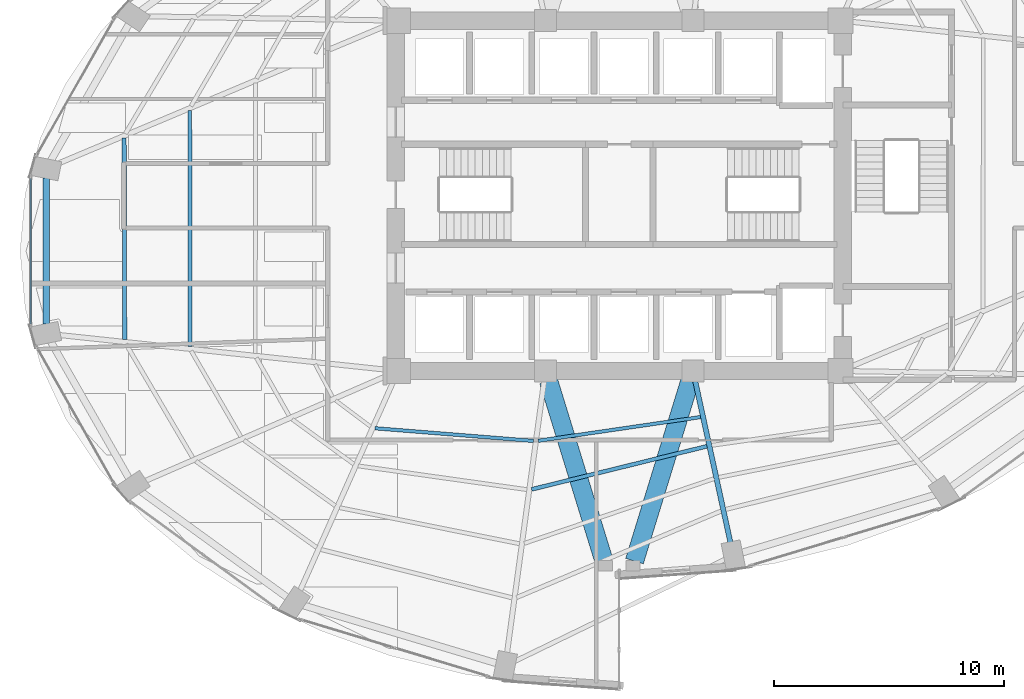
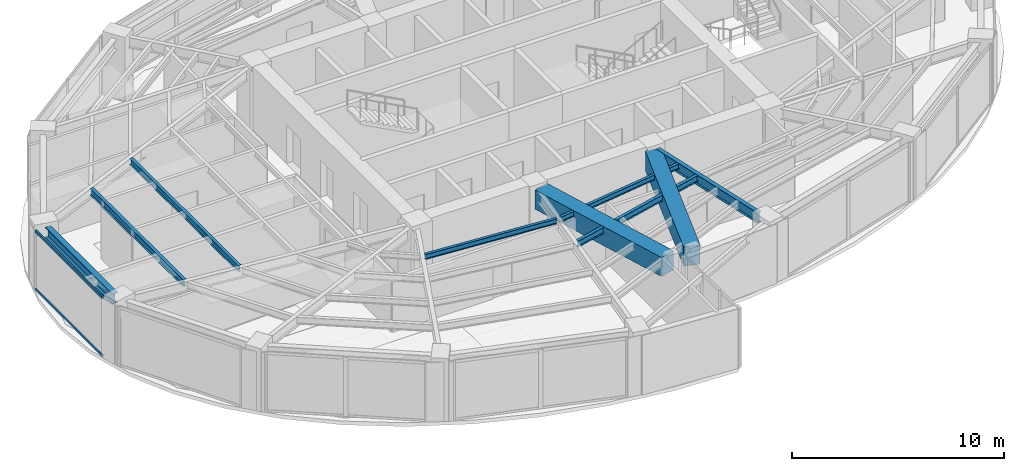
# One storey, part 7 of 24: 9 beams, 2 members, 1 element without a shape of its own.
"""IFC4 building model written with IfcOpenShell, lengths in metres."""

from ifc_helpers import new_model, si_unit, direction, frame, origin, origin_2d, place, context, subcontext, project, spatial, rectangle, hollow_rectangle, i_section, extrude, material, layer, layer_set, material_profile, profile_set, type_object, element, aggregate, save


model = new_model("IFC4")

# Units and contexts
model_context = context("Model", 3, precision=1e-05, world=origin(), true_north=direction((0.0, 1.0)))
body_context = subcontext(model_context, "Body", "Model", "MODEL_VIEW")
ifc_project = project(units=[si_unit("LENGTHUNIT", "METRE"), si_unit("AREAUNIT", "SQUARE_METRE"), si_unit("VOLUMEUNIT", "CUBIC_METRE"), si_unit("PLANEANGLEUNIT", "RADIAN"), si_unit("MASSUNIT", "GRAM", prefix="KILO")], contexts=[model_context])

# Site, building, storey
site_placement = place(None, origin())
site = spatial("IfcSite", under=ifc_project, at=site_placement, CompositionType="ELEMENT")
building_placement = place(site_placement, origin())
building = spatial("IfcBuilding", under=site, at=building_placement, Name="Lazwardi Medical Tower", CompositionType="ELEMENT")
storey_placement = place(building_placement, frame((0.0, 0.0, 96.3359375)))
storey = spatial("IfcBuildingStorey", under=building, at=storey_placement, Name="L24", CompositionType="ELEMENT", Elevation=96.3359375)

# Beams
ifc_material_1 = material(Name="Concrete C70/85", Category="concrete")
ifc_material_profile_1 = material_profile(ifc_material_1, rectangle(XDim=0.800048828125, YDim=1.10009765625, at=origin_2d()), Name="RC 800x1100")
ifc_profile_set_1 = profile_set([ifc_material_profile_1], Name="Concrete C70/85")
beam_type_1 = type_object("IfcBeamType", Name="BM-CB-RC1", PredefinedType="LINTEL", material=ifc_profile_set_1)
for number, where, z_axis, x_axis, name in (
    (1, (32.935302734375, 19.960205078125, 2.878173828125), (0.294073251002, -0.955782884888, 0.0), (0.955782884888, 0.294073251002, 0.0), "Core coupling lintel CB-01 PL3 L24"),
    (2, (39.064697265625, 19.960205078125, 2.878173828125), (-0.294073251002, -0.955782884888, 0.0), (0.955782884888, -0.294073251002, 0.0), "Core coupling lintel CB-01 PL4 L24"),
):
    element("IfcBeam", number, at=place(storey_placement, frame(where, z_axis=z_axis, x_axis=x_axis)), inside=storey, type_object=beam_type_1, Name=name, PredefinedType="LINTEL", context=body_context, shape_type="SweptSolid", body=[
        extrude(rectangle(XDim=0.800048828125, YDim=1.10009765625, at=origin_2d()), origin(), (0.0, 0.0, 1.0), 8.1708984375),
    ])
ifc_material_2 = material(Name="Steel S355", Category="steel")
ifc_material_profile_2 = material_profile(ifc_material_2, i_section(OverallWidth=0.300048828125, OverallDepth=0.60009765625, WebThickness=0.015380859375, FlangeThickness=0.030029296875, at=origin_2d()), Name="HEB 600")
ifc_profile_set_2 = profile_set([ifc_material_profile_2], Name="Steel S355")
beam_type_2 = type_object("IfcBeamType", Name="BM-RB-Z2", PredefinedType="BEAM", material=ifc_profile_set_2)
beam_1_placement = place(storey_placement, frame((11.13720703125, 28.77001953125, 3.128173828125), z_axis=(0.0, -1.0, 0.0), x_axis=(1.0, 0.0, 0.0)))
element("IfcBeam", 3, at=beam_1_placement, inside=storey, type_object=beam_type_2, Name="Ring beam RB-03 B12 L24", PredefinedType="BEAM", context=body_context, shape_type="SweptSolid", body=[
    extrude(i_section(OverallWidth=0.300048828125, OverallDepth=0.60009765625, WebThickness=0.015380859375, FlangeThickness=0.030029296875, at=origin_2d()), origin(), (0.0, 0.0, 1.0), 6.33984375),
])
ifc_material_profile_3 = material_profile(ifc_material_2, i_section(OverallWidth=0.219970703125, OverallDepth=0.60009765625, WebThickness=0.011962890625, FlangeThickness=0.01904296875, at=origin_2d()), Name="IPE 600")
ifc_profile_set_3 = profile_set([ifc_material_profile_3], Name="Steel S355")
beam_type_3 = type_object("IfcBeamType", Name="BM-RG-W1", PredefinedType="BEAM", material=ifc_profile_set_3)
beam_2_placement = place(storey_placement, frame((40.82177734375, 12.96923828125, 3.128173828125), z_axis=(-0.213228150441, 0.977002433907, 0.0), x_axis=(-0.977002433907, -0.213228150441, 0.0)))
element("IfcBeam", 4, at=beam_2_placement, inside=storey, type_object=beam_type_3, Name="Radial girder RG-02 R01 L24", PredefinedType="BEAM", context=body_context, shape_type="SweptSolid", body=[
    extrude(i_section(OverallWidth=0.219970703125, OverallDepth=0.60009765625, WebThickness=0.011962890625, FlangeThickness=0.01904296875, at=origin_2d()), origin(), (0.0, 0.0, 1.0), 7.145751953125),
])
ifc_material_profile_4 = material_profile(ifc_material_2, i_section(OverallWidth=0.179931640625, OverallDepth=0.39990234375, WebThickness=0.008544921875, FlangeThickness=0.013427734375, at=origin_2d()), Name="IPE 400")
ifc_profile_set_4 = profile_set([ifc_material_profile_4], Name="Steel S355")
beam_type_4 = type_object("IfcBeamType", Name="BM-SJ-01", PredefinedType="JOIST", material=ifc_profile_set_4)
beam_3_placement = place(storey_placement, frame((14.51904296875, 30.497314453125, 3.22802734375), z_axis=(0.002907126978, -0.999995774297, 0.0), x_axis=(0.999995774297, 0.002907126978, 0.0)))
element("IfcBeam", 5, at=beam_3_placement, inside=storey, type_object=beam_type_4, Name="Secondary joist SJ-01 R1 B12 L24", PredefinedType="JOIST", context=body_context, shape_type="SweptSolid", body=[
    extrude(i_section(OverallWidth=0.179931640625, OverallDepth=0.39990234375, WebThickness=0.008544921875, FlangeThickness=0.013427734375, at=origin_2d()), origin(), (0.0, 0.0, 1.0), 8.73388671875),
])
ifc_material_profile_5 = material_profile(ifc_material_2, i_section(OverallWidth=0.169921875, OverallDepth=0.360107421875, WebThickness=0.008056640625, FlangeThickness=0.0126953125, at=origin_2d()), Name="IPE 360")
ifc_profile_set_5 = profile_set([ifc_material_profile_5], Name="Steel S355")
beam_type_5 = type_object("IfcBeamType", Name="BM-SJ-02", PredefinedType="JOIST", material=ifc_profile_set_5)
beam_4_placement = place(storey_placement, frame((17.365966796875, 31.69482421875, 3.248046875), z_axis=(0.000930565095, -0.999999567024, 0.0), x_axis=(0.999999567024, 0.000930565095, 0.0)))
element("IfcBeam", 6, at=beam_4_placement, inside=storey, type_object=beam_type_5, Name="Secondary joist SJ-02 R2 B12 L24", PredefinedType="JOIST", context=body_context, shape_type="SweptSolid", body=[
    extrude(i_section(OverallWidth=0.169921875, OverallDepth=0.360107421875, WebThickness=0.008056640625, FlangeThickness=0.0126953125, at=origin_2d()), origin(), (0.0, 0.0, 1.0), 10.23193359375),
])
beam_5_placement = place(storey_placement, frame((32.19775390625, 15.262451171875, 3.248046875), z_axis=(0.97107737879, 0.238764998276, 0.0), x_axis=(-0.238764998276, 0.97107737879, 0.0)))
element("IfcBeam", 7, at=beam_5_placement, inside=storey, type_object=beam_type_5, Name="Secondary joist SJ-02 R3 B16 L24", PredefinedType="JOIST", context=body_context, shape_type="SweptSolid", body=[
    extrude(i_section(OverallWidth=0.169921875, OverallDepth=0.360107421875, WebThickness=0.008056640625, FlangeThickness=0.0126953125, at=origin_2d()), origin(), (0.0, 0.0, 1.0), 7.83447265625),
])
ifc_material_profile_6 = material_profile(ifc_material_2, i_section(OverallWidth=0.14990234375, OverallDepth=0.300048828125, WebThickness=0.007080078125, FlangeThickness=0.0107421875, at=origin_2d()), Name="IPE 300")
ifc_profile_set_6 = profile_set([ifc_material_profile_6], Name="Steel S355")
beam_type_6 = type_object("IfcBeamType", Name="BM-SJ-03", PredefinedType="JOIST", material=ifc_profile_set_6)
beam_6_placement = place(storey_placement, frame((25.400390625, 17.914306640625, 3.278076171875), z_axis=(0.996816178299, -0.079733974445, 0.0), x_axis=(0.079733974445, 0.996816178299, 0.0)))
element("IfcBeam", 8, at=beam_6_placement, inside=storey, type_object=beam_type_6, Name="Secondary joist SJ-03 R4 B15 L24", PredefinedType="JOIST", context=body_context, shape_type="SweptSolid", body=[
    extrude(i_section(OverallWidth=0.14990234375, OverallDepth=0.300048828125, WebThickness=0.007080078125, FlangeThickness=0.0107421875, at=origin_2d()), origin(), (0.0, 0.0, 1.0), 6.901611328125),
])
beam_7_placement = place(storey_placement, frame((32.488525390625, 17.37060546875, 3.278076171875), z_axis=(0.98949221477, 0.144586157392, 0.0), x_axis=(-0.144586157392, 0.98949221477, 0.0)))
element("IfcBeam", 9, at=beam_7_placement, inside=storey, type_object=beam_type_6, Name="Secondary joist SJ-03 R4 B16 L24", PredefinedType="JOIST", context=body_context, shape_type="SweptSolid", body=[
    extrude(i_section(OverallWidth=0.14990234375, OverallDepth=0.300048828125, WebThickness=0.007080078125, FlangeThickness=0.0107421875, at=origin_2d()), origin(), (0.0, 0.0, 1.0), 7.115478515625),
])

# Curtain wall, members
ifc_material_3 = material(Name="Anodised bronze aluminium and solar control glazing", Category="aluminium")
ifc_layer = layer(ifc_material_3, 0.195068359375)
ifc_layer_set = layer_set([ifc_layer], Name="Anodised bronze aluminium and solar control glazing")
curtain_wall_type = type_object("IfcCurtainWallType", Name="CW-SYS-03", PredefinedType="NOTDEFINED", material=ifc_layer_set)
curtain_wall_placement = place(storey_placement, origin())
curtain_wall = element("IfcCurtainWall", 10, at=curtain_wall_placement, inside=storey, type_object=curtain_wall_type, Name="L24 Unitised bronze curtain wall CW-03", PredefinedType="NOTDEFINED")
ifc_material_4 = material(Name="Anodised bronze aluminium", Category="aluminium")
ifc_material_profile_7 = material_profile(ifc_material_4, hollow_rectangle(XDim=0.074951171875, YDim=0.159912109375, WallThickness=0.00390625, at=origin_2d()), Name="ALU-TRANSOM 160x75x4")
ifc_profile_set_7 = profile_set([ifc_material_profile_7], Name="Anodised bronze aluminium")
member_type = type_object("IfcMemberType", Name="CW-TRN-01", PredefinedType="USERDEFINED", material=ifc_profile_set_7)
member_1_placement = place(storey_placement, frame((10.471923828125, 28.760009765625, 0.03759765625), z_axis=(0.0, -1.0, 0.0), x_axis=(1.0, 0.0, 0.0)))
member_1 = element("IfcMember", 11, at=member_1_placement, type_object=member_type, Name="CW-03 transom 1.1", ObjectType="TRANSOM", PredefinedType="USERDEFINED", context=body_context, shape_type="SweptSolid", body=[
    extrude(hollow_rectangle(XDim=0.074951171875, YDim=0.159912109375, WallThickness=0.00390625, at=origin_2d()), origin(), (0.0, 0.0, 1.0), 6.31982421875),
])
member_2_placement = place(storey_placement, frame((10.471923828125, 28.760009765625, 3.390625), z_axis=(0.0, -1.0, 0.0), x_axis=(1.0, 0.0, 0.0)))
member_2 = element("IfcMember", 12, at=member_2_placement, type_object=member_type, Name="CW-03 transom 1.2", ObjectType="TRANSOM", PredefinedType="USERDEFINED", context=body_context, shape_type="SweptSolid", body=[
    extrude(hollow_rectangle(XDim=0.074951171875, YDim=0.159912109375, WallThickness=0.00390625, at=origin_2d()), origin(), (0.0, 0.0, 1.0), 6.31982421875),
])
aggregate(curtain_wall, [member_1, member_2])

save(model, "model.ifc")
